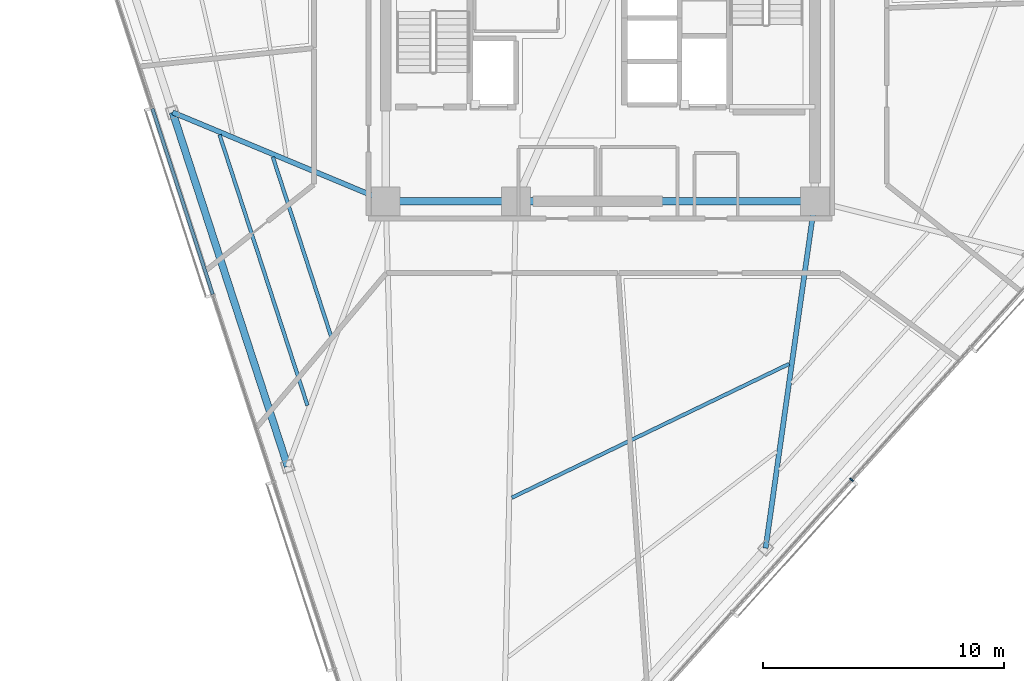
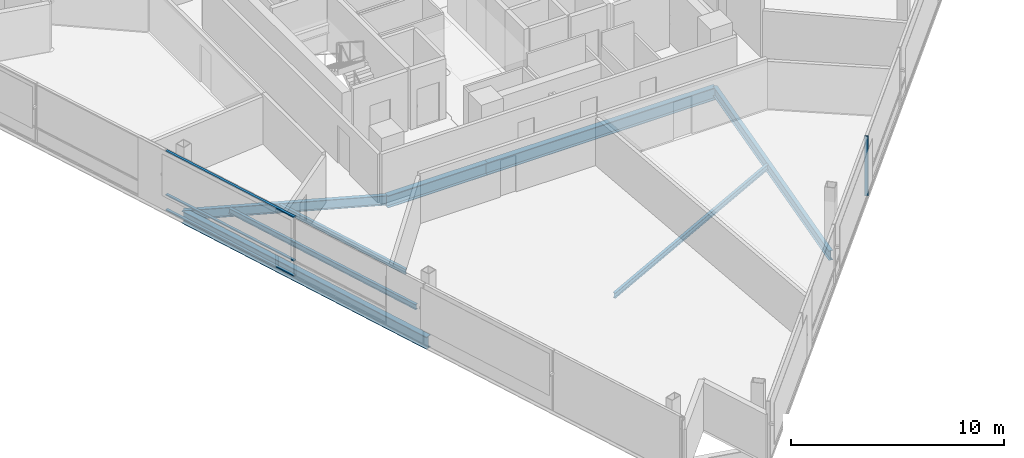
# One storey, part 3 of 17: 8 beams, 4 members, 2 elements without a shape of their own.
"""IFC4 building model written with IfcOpenShell, lengths in metres."""

from ifc_helpers import new_model, si_unit, direction, frame, origin, origin_2d, place, context, subcontext, project, spatial, rectangle, i_section, extrude, material, layer, layer_set, material_profile, profile_set, type_object, element, aggregate, save


model = new_model("IFC4")

# Units and contexts
model_context = context("Model", 3, precision=1e-05, world=origin(), true_north=direction((0.0, 1.0)))
body_context = subcontext(model_context, "Body", "Model", "MODEL_VIEW")
ifc_project = project(units=[si_unit("LENGTHUNIT", "METRE"), si_unit("AREAUNIT", "SQUARE_METRE"), si_unit("VOLUMEUNIT", "CUBIC_METRE"), si_unit("PLANEANGLEUNIT", "RADIAN"), si_unit("MASSUNIT", "GRAM", prefix="KILO")], contexts=[model_context])

# Site, building, storey
site_placement = place(None, origin())
site = spatial("IfcSite", under=ifc_project, at=site_placement, CompositionType="ELEMENT")
building_placement = place(site_placement, origin())
building = spatial("IfcBuilding", under=site, at=building_placement, Name="Tharavind Bronze Gate", CompositionType="ELEMENT")
storey_placement = place(building_placement, frame((0.0, 0.0, 204.050048828125)))
storey = spatial("IfcBuildingStorey", under=building, at=storey_placement, Name="L52", CompositionType="ELEMENT", Elevation=204.050048828125)

# Curtain wall, member
ifc_material_1 = material(Name="Anodised Bronze Aluminium", Category="aluminium")
ifc_layer = layer(ifc_material_1, 0.219970703125)
ifc_layer_set = layer_set([ifc_layer], Name="Anodised Bronze Aluminium")
curtain_wall_type = type_object("IfcCurtainWallType", Name="UNITISED CURTAIN WALL MID OFFICE", PredefinedType="USERDEFINED", material=ifc_layer_set)
curtain_wall_1_placement = place(storey_placement, origin())
curtain_wall_1 = element("IfcCurtainWall", 1, at=curtain_wall_1_placement, inside=storey, type_object=curtain_wall_type, Name="L52 unitised curtain wall mid office CW-L52-S2", ObjectType="UNITISED CURTAIN WALL", PredefinedType="USERDEFINED")
member_type_1 = type_object("IfcMemberType", Name="CURTAIN WALL BRONZE MULLION 65X180", PredefinedType="MULLION", material=ifc_material_1)
member_1_placement = place(storey_placement, frame((10.42138671875, -19.1552734375, 0.0), z_axis=(0.0, 0.0, 1.0), x_axis=(0.669130606359, 0.743144825477, 0.0)))
member_1 = element("IfcMember", 2, at=member_1_placement, type_object=member_type_1, Name="CW-L52-S2 mullion 4", PredefinedType="MULLION", context=body_context, shape_type="SweptSolid", body=[
    extrude(rectangle(XDim=0.06494140625, YDim=0.179931640625, at=origin_2d()), origin(), (0.0, 0.0, 1.0), 3.419921875),
])
aggregate(curtain_wall_1, [member_1])

# Curtain wall, members
curtain_wall_2_placement = place(storey_placement, origin())
curtain_wall_2 = element("IfcCurtainWall", 3, at=curtain_wall_2_placement, inside=storey, type_object=curtain_wall_type, Name="L52 unitised curtain wall mid office CW-L52-S1", ObjectType="UNITISED CURTAIN WALL", PredefinedType="USERDEFINED")
member_type_2 = type_object("IfcMemberType", Name="CURTAIN WALL BRONZE TRANSOM 65X140", PredefinedType="USERDEFINED", material=ifc_material_1)
member_2_placement = place(storey_placement, frame((-17.32958984375, -7.61083984375, 0.0), z_axis=(0.0, 0.0, 1.0), x_axis=(0.309016994375, -0.951056516295, 0.0)))
member_2 = element("IfcMember", 4, at=member_2_placement, type_object=member_type_2, Name="CW-L52-S1 transom TB3", ObjectType="TRANSOM", PredefinedType="USERDEFINED", context=body_context, shape_type="SweptSolid", body=[
    extrude(rectangle(XDim=8.102783203125, YDim=0.139892578125, at=origin_2d()), origin(), (0.0, 0.0, 1.0), 0.06494140625),
])
member_3_placement = place(storey_placement, frame((-17.32958984375, -7.61083984375, 0.867431640625), z_axis=(0.0, 0.0, 1.0), x_axis=(0.309016994375, -0.951056516295, 0.0)))
member_3 = element("IfcMember", 5, at=member_3_placement, type_object=member_type_2, Name="CW-L52-S1 transom TS3", ObjectType="TRANSOM", PredefinedType="USERDEFINED", context=body_context, shape_type="SweptSolid", body=[
    extrude(rectangle(XDim=8.102783203125, YDim=0.139892578125, at=origin_2d()), origin(), (0.0, 0.0, 1.0), 0.06494140625),
])
member_4_placement = place(storey_placement, frame((-17.32958984375, -7.61083984375, 3.35498046875), z_axis=(0.0, 0.0, 1.0), x_axis=(0.309016994375, -0.951056516295, 0.0)))
member_4 = element("IfcMember", 6, at=member_4_placement, type_object=member_type_2, Name="CW-L52-S1 transom TT3", ObjectType="TRANSOM", PredefinedType="USERDEFINED", context=body_context, shape_type="SweptSolid", body=[
    extrude(rectangle(XDim=8.102783203125, YDim=0.139892578125, at=origin_2d()), origin(), (0.0, 0.0, 1.0), 0.06494140625),
])
aggregate(curtain_wall_2, [member_2, member_3, member_4])

# Beams
ifc_material_2 = material(Name="Steel S355", Category="steel")
ifc_material_profile_1 = material_profile(ifc_material_2, i_section(OverallWidth=0.2099609375, OverallDepth=0.550048828125, WebThickness=0.010986328125, FlangeThickness=0.01708984375, at=origin_2d()), Name="IPE550")
ifc_profile_set_1 = profile_set([ifc_material_profile_1], Name="Steel S355")
beam_type_1 = type_object("IfcBeamType", Name="PRIMARY GIRDER IPE550", PredefinedType="USERDEFINED", material=ifc_profile_set_1)
beam_1_placement = place(storey_placement, frame((-17.74267578125, -3.91259765625, -0.455078125), z_axis=(0.922965305367, -0.38488315771, 0.0), x_axis=(0.38488315771, 0.922965305367, 0.0)))
element("IfcBeam", 7, at=beam_1_placement, inside=storey, type_object=beam_type_1, Name="L52 primary girder ipe550 BM-L52-RAD02", ObjectType="GIRDER", PredefinedType="USERDEFINED", context=body_context, shape_type="SweptSolid", body=[
    extrude(i_section(OverallWidth=0.2099609375, OverallDepth=0.550048828125, WebThickness=0.010986328125, FlangeThickness=0.01708984375, at=origin_2d()), origin(), (0.0, 0.0, 1.0), 9.580810546875),
])
beam_2_placement = place(storey_placement, frame((6.857421875, -21.992431640625, -0.455078125), z_axis=(0.140506642307, 0.990079735914, 0.0), x_axis=(-0.990079735914, 0.140506642307, 0.0)))
element("IfcBeam", 8, at=beam_2_placement, inside=storey, type_object=beam_type_1, Name="L52 primary girder ipe550 BM-L52-RAD06", ObjectType="GIRDER", PredefinedType="USERDEFINED", context=body_context, shape_type="SweptSolid", body=[
    extrude(i_section(OverallWidth=0.2099609375, OverallDepth=0.550048828125, WebThickness=0.010986328125, FlangeThickness=0.01708984375, at=origin_2d()), origin(), (0.0, 0.0, 1.0), 14.53662109375),
])
ifc_material_profile_2 = material_profile(ifc_material_2, i_section(OverallWidth=0.300048828125, OverallDepth=0.699951171875, WebThickness=0.01708984375, FlangeThickness=0.031982421875, at=origin_2d()), Name="HE700B")
ifc_profile_set_2 = profile_set([ifc_material_profile_2], Name="Steel S355")
beam_type_2 = type_object("IfcBeamType", Name="RING GIRDER HE700B", PredefinedType="USERDEFINED", material=ifc_profile_set_2)
beam_3_placement = place(storey_placement, frame((-8.89990234375, -7.60009765625, -0.530029296875), z_axis=(1.0, 0.0, 0.0), x_axis=(0.0, 1.0, 0.0)))
element("IfcBeam", 9, at=beam_3_placement, inside=storey, type_object=beam_type_2, Name="L52 ring girder he700b BM-L52-CR1", ObjectType="GIRDER", PredefinedType="USERDEFINED", context=body_context, shape_type="SweptSolid", body=[
    extrude(i_section(OverallWidth=0.300048828125, OverallDepth=0.699951171875, WebThickness=0.01708984375, FlangeThickness=0.031982421875, at=origin_2d()), origin(), (0.0, 0.0, 1.0), 5.39990234375),
])
beam_4_placement = place(storey_placement, frame((-3.5, -7.60009765625, -0.530029296875), z_axis=(1.0, 0.0, 0.0), x_axis=(0.0, 1.0, 0.0)))
element("IfcBeam", 10, at=beam_4_placement, inside=storey, type_object=beam_type_2, Name="L52 ring girder he700b BM-L52-CR2", ObjectType="GIRDER", PredefinedType="USERDEFINED", context=body_context, shape_type="SweptSolid", body=[
    extrude(i_section(OverallWidth=0.300048828125, OverallDepth=0.699951171875, WebThickness=0.01708984375, FlangeThickness=0.031982421875, at=origin_2d()), origin(), (0.0, 0.0, 1.0), 12.39990234375),
])
beam_5_placement = place(storey_placement, frame((-17.74267578125, -3.91259765625, -0.530029296875), z_axis=(0.309020307293, -0.951055439857, 0.0), x_axis=(0.951055439857, 0.309020307293, 0.0)))
element("IfcBeam", 11, at=beam_5_placement, inside=storey, type_object=beam_type_2, Name="L52 ring girder he700b BM-L52-PRG02", ObjectType="GIRDER", PredefinedType="USERDEFINED", context=body_context, shape_type="SweptSolid", body=[
    extrude(i_section(OverallWidth=0.300048828125, OverallDepth=0.699951171875, WebThickness=0.01708984375, FlangeThickness=0.031982421875, at=origin_2d()), origin(), (0.0, 0.0, 1.0), 15.4453125),
])
ifc_material_profile_3 = material_profile(ifc_material_2, i_section(OverallWidth=0.14990234375, OverallDepth=0.300048828125, WebThickness=0.007080078125, FlangeThickness=0.0107421875, at=origin_2d()), Name="IPE300")
ifc_profile_set_3 = profile_set([ifc_material_profile_3], Name="Steel S355")
beam_type_3 = type_object("IfcBeamType", Name="SECONDARY FLOOR JOIST IPE300", PredefinedType="JOIST", material=ifc_profile_set_3)
beam_6_placement = place(storey_placement, frame((-13.5869140625, -5.7626953125, -0.330078125), z_axis=(0.309039532328, -0.951049192975, 0.0), x_axis=(0.951049192975, 0.309039532328, 0.0)))
element("IfcBeam", 12, at=beam_6_placement, inside=storey, type_object=beam_type_3, Name="L52 secondary floor joist ipe300 BM-L52-JSTA02", PredefinedType="JOIST", context=body_context, shape_type="SweptSolid", body=[
    extrude(i_section(OverallWidth=0.14990234375, OverallDepth=0.300048828125, WebThickness=0.007080078125, FlangeThickness=0.0107421875, at=origin_2d()), origin(), (0.0, 0.0, 1.0), 7.947265625),
])
beam_7_placement = place(storey_placement, frame((-15.79736328125, -4.8408203125, -0.330078125), z_axis=(0.309005195331, -0.951060349956, 0.0), x_axis=(0.951060349956, 0.309005195331, 0.0)))
element("IfcBeam", 13, at=beam_7_placement, inside=storey, type_object=beam_type_3, Name="L52 secondary floor joist ipe300 BM-L52-JSTB02", PredefinedType="JOIST", context=body_context, shape_type="SweptSolid", body=[
    extrude(i_section(OverallWidth=0.14990234375, OverallDepth=0.300048828125, WebThickness=0.007080078125, FlangeThickness=0.0107421875, at=origin_2d()), origin(), (0.0, 0.0, 1.0), 11.80859375),
])
beam_8_placement = place(storey_placement, frame((-3.66943359375, -19.8984375, -0.330078125), z_axis=(0.900657941829, 0.434528792855, 0.0), x_axis=(-0.434528792855, 0.900657941829, 0.0)))
element("IfcBeam", 14, at=beam_8_placement, inside=storey, type_object=beam_type_3, Name="L52 secondary floor joist ipe300 BM-L52-JSTA05", PredefinedType="JOIST", context=body_context, shape_type="SweptSolid", body=[
    extrude(i_section(OverallWidth=0.14990234375, OverallDepth=0.300048828125, WebThickness=0.007080078125, FlangeThickness=0.0107421875, at=origin_2d()), origin(), (0.0, 0.0, 1.0), 12.77099609375),
])

save(model, "model.ifc")
